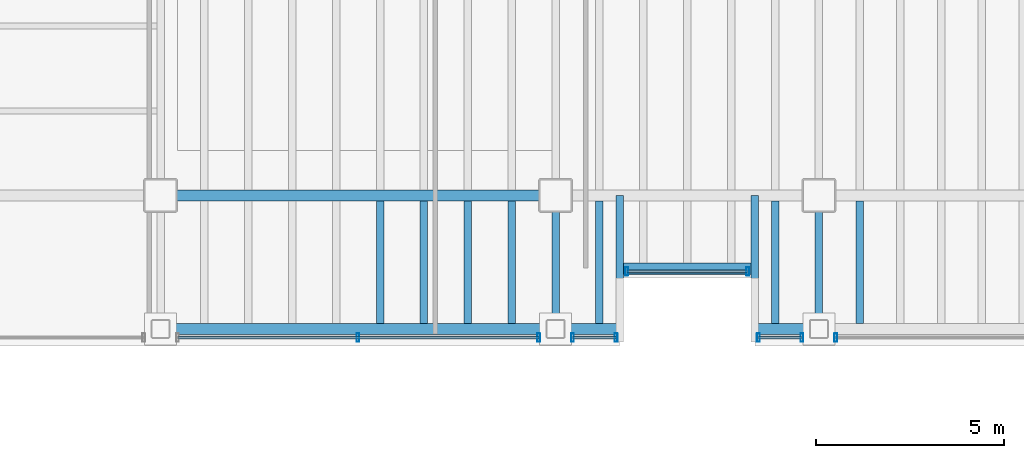
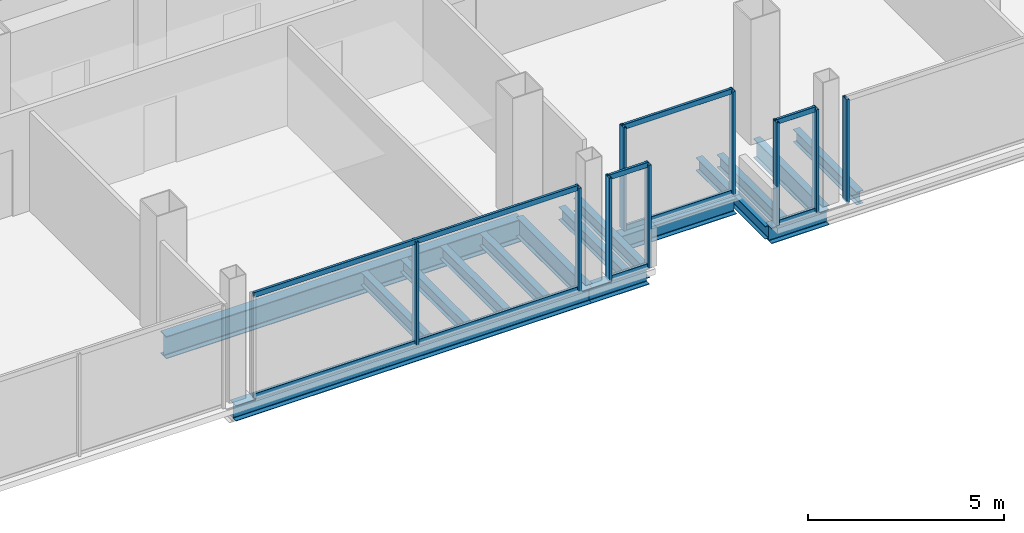
# One storey, part 4 of 19: 17 members, 16 beams, 5 elements without a shape of their own.
"""IFC4 building model written with IfcOpenShell, lengths in metres."""

from ifc_helpers import new_model, si_unit, direction, frame, origin, origin_2d, place, context, subcontext, project, spatial, hollow_rectangle, i_section, extrude, material, material_profile, profile_set, type_object, element, aggregate, save


model = new_model("IFC4")

# Units and contexts
model_context = context("Model", 3, precision=1e-05, world=origin(), true_north=direction((0.0, 1.0)))
body_context = subcontext(model_context, "Body", "Model", "MODEL_VIEW")
ifc_project = project(units=[si_unit("LENGTHUNIT", "METRE"), si_unit("AREAUNIT", "SQUARE_METRE"), si_unit("VOLUMEUNIT", "CUBIC_METRE"), si_unit("PLANEANGLEUNIT", "RADIAN"), si_unit("MASSUNIT", "GRAM", prefix="KILO")], contexts=[model_context])

# Site, building, storey
site_placement = place(None, origin())
site = spatial("IfcSite", under=ifc_project, at=site_placement, CompositionType="ELEMENT")
building_placement = place(site_placement, origin())
building = spatial("IfcBuilding", under=site, at=building_placement, Name="Noeulbin Bourse Tower", CompositionType="ELEMENT")
storey_placement = place(building_placement, frame((0.0, 0.0, 146.10009765625)))
storey = spatial("IfcBuildingStorey", under=building, at=storey_placement, Name="L36", CompositionType="ELEMENT", Elevation=146.10009765625)

# Beams
ifc_material_1 = material(Name="Steel S355", Category="steel")
ifc_material_profile_1 = material_profile(ifc_material_1, i_section(OverallWidth=0.199951171875, OverallDepth=0.60009765625, WebThickness=0.010986328125, FlangeThickness=0.01708984375, FilletRadius=0.02197265625, at=origin_2d()), Name="H-600x200x11x17", Category="LoadBearing")
ifc_profile_set_1 = profile_set([ifc_material_profile_1], Name="Steel S355")
beam_type_1 = type_object("IfcBeamType", Name="BM-GRD-600", PredefinedType="USERDEFINED", material=ifc_profile_set_1)
for number, where, z_axis, x_axis, name in (
    (1, (24.0, 16.449951171875, -0.47998046875), (0.0, 1.0, 0.0), (-1.0, 0.0, 0.0), "Tower Primary Girder NS L36-2.1"),
    (2, (31.0, 16.449951171875, -0.47998046875), (0.0, 1.0, 0.0), (-1.0, 0.0, 0.0), "Tower Primary Girder NS L36-3.1"),
):
    element("IfcBeam", number, at=place(storey_placement, frame(where, z_axis=z_axis, x_axis=x_axis)), inside=storey, type_object=beam_type_1, Name=name, ObjectType="GIRDER", PredefinedType="USERDEFINED", context=body_context, shape_type="SweptSolid", body=[
        extrude(i_section(OverallWidth=0.199951171875, OverallDepth=0.60009765625, WebThickness=0.010986328125, FlangeThickness=0.01708984375, FilletRadius=0.02197265625, at=origin_2d()), origin(), (0.0, 0.0, 1.0), 3.550048828125),
    ])
ifc_material_profile_2 = material_profile(ifc_material_1, i_section(OverallWidth=0.300048828125, OverallDepth=0.699951171875, WebThickness=0.012939453125, FlangeThickness=0.02392578125, FilletRadius=0.02392578125, at=origin_2d()), Name="H-700x300x13x24", Category="LoadBearing")
ifc_profile_set_2 = profile_set([ifc_material_profile_2], Name="Steel S355")
beam_type_2 = type_object("IfcBeamType", Name="BM-GRD-700", PredefinedType="USERDEFINED", material=ifc_profile_set_2)
beam_1_placement = place(storey_placement, frame((13.5, 20.0, -0.530029296875), z_axis=(1.0, 0.0, 0.0), x_axis=(0.0, 1.0, 0.0)))
element("IfcBeam", 3, at=beam_1_placement, inside=storey, type_object=beam_type_2, Name="Tower Primary Girder EW L36-1.2", ObjectType="GIRDER", PredefinedType="USERDEFINED", context=body_context, shape_type="SweptSolid", body=[
    extrude(i_section(OverallWidth=0.300048828125, OverallDepth=0.699951171875, WebThickness=0.012939453125, FlangeThickness=0.02392578125, FilletRadius=0.02392578125, at=origin_2d()), origin(), (0.0, 0.0, 1.0), 10.5),
])
ifc_material_profile_3 = material_profile(ifc_material_1, i_section(OverallWidth=0.199951171875, OverallDepth=0.39990234375, WebThickness=0.008056640625, FlangeThickness=0.012939453125, FilletRadius=0.01611328125, at=origin_2d()), Name="H-400x200x8x13", Category="LoadBearing")
ifc_profile_set_3 = profile_set([ifc_material_profile_3], Name="Steel S355")
beam_type_3 = type_object("IfcBeamType", Name="BM-SEC-400", PredefinedType="BEAM", material=ifc_profile_set_3)
for number, where, z_axis, x_axis, name in (
    (4, (25.699951171875, 16.449951171875, -0.380126953125), (0.0, 1.0, 0.0), (-1.0, 0.0, 0.0), "BM-L36-SRT-W"),
    (5, (29.300048828125, 16.449951171875, -0.380126953125), (0.0, 1.0, 0.0), (-1.0, 0.0, 0.0), "BM-L36-SRT-E"),
):
    element("IfcBeam", number, at=place(storey_placement, frame(where, z_axis=z_axis, x_axis=x_axis)), inside=storey, type_object=beam_type_3, Name=name, PredefinedType="BEAM", context=body_context, shape_type="SweptSolid", body=[
        extrude(i_section(OverallWidth=0.199951171875, OverallDepth=0.39990234375, WebThickness=0.008056640625, FlangeThickness=0.012939453125, FilletRadius=0.01611328125, at=origin_2d()), origin(), (0.0, 0.0, 1.0), 3.550048828125),
    ])
for number, where, z_axis, x_axis, name in (
    (6, (19.333251953125, 16.60009765625, -0.380126953125), (0.0, 1.0, 0.0), (-1.0, 0.0, 0.0), "Tower Composite Joist L36-13"),
    (7, (20.5, 16.60009765625, -0.380126953125), (0.0, 1.0, 0.0), (-1.0, 0.0, 0.0), "Tower Composite Joist L36-16"),
    (8, (21.666748046875, 16.60009765625, -0.380126953125), (0.0, 1.0, 0.0), (-1.0, 0.0, 0.0), "Tower Composite Joist L36-19"),
    (9, (22.833251953125, 16.60009765625, -0.380126953125), (0.0, 1.0, 0.0), (-1.0, 0.0, 0.0), "Tower Composite Joist L36-22"),
    (10, (25.166748046875, 16.60009765625, -0.380126953125), (0.0, 1.0, 0.0), (-1.0, 0.0, 0.0), "Tower Composite Joist L36-25"),
    (11, (29.833251953125, 16.60009765625, -0.380126953125), (0.0, 1.0, 0.0), (-1.0, 0.0, 0.0), "Tower Composite Joist L36-37"),
    (12, (32.083251953125, 16.60009765625, -0.380126953125), (0.0, 1.0, 0.0), (-1.0, 0.0, 0.0), "Tower Composite Joist L36-40"),
):
    element("IfcBeam", number, at=place(storey_placement, frame(where, z_axis=z_axis, x_axis=x_axis)), inside=storey, type_object=beam_type_3, Name=name, PredefinedType="BEAM", context=body_context, shape_type="SweptSolid", body=[
        extrude(i_section(OverallWidth=0.199951171875, OverallDepth=0.39990234375, WebThickness=0.008056640625, FlangeThickness=0.012939453125, FilletRadius=0.01611328125, at=origin_2d()), origin(), (0.0, 0.0, 1.0), 3.25),
    ])
ifc_material_profile_4 = material_profile(ifc_material_1, i_section(OverallWidth=0.300048828125, OverallDepth=0.488037109375, WebThickness=0.010986328125, FlangeThickness=0.01806640625, FilletRadius=0.02197265625, at=origin_2d()), Name="H-488x300x11x18", Category="LoadBearing")
ifc_profile_set_4 = profile_set([ifc_material_profile_4], Name="Steel S355")
beam_type_4 = type_object("IfcBeamType", Name="BM-SPN-488", PredefinedType="SPANDREL", material=ifc_profile_set_4)
beam_2_placement = place(storey_placement, frame((13.5, 16.449951171875, -0.424072265625), z_axis=(1.0, 0.0, 0.0), x_axis=(0.0, 1.0, 0.0)))
element("IfcBeam", 13, at=beam_2_placement, inside=storey, type_object=beam_type_4, Name="South Spandrel L36-1", PredefinedType="SPANDREL", context=body_context, shape_type="SweptSolid", body=[
    extrude(i_section(OverallWidth=0.300048828125, OverallDepth=0.488037109375, WebThickness=0.010986328125, FlangeThickness=0.01806640625, FilletRadius=0.02197265625, at=origin_2d()), origin(), (0.0, 0.0, 1.0), 10.5),
])
beam_3_placement = place(storey_placement, frame((25.800048828125, 18.050048828125, -0.424072265625), z_axis=(1.0, 0.0, 0.0), x_axis=(0.0, 1.0, 0.0)))
element("IfcBeam", 14, at=beam_3_placement, inside=storey, type_object=beam_type_4, Name="South Recess Spandrel L36-2B", PredefinedType="SPANDREL", context=body_context, shape_type="SweptSolid", body=[
    extrude(i_section(OverallWidth=0.300048828125, OverallDepth=0.488037109375, WebThickness=0.010986328125, FlangeThickness=0.01806640625, FilletRadius=0.02197265625, at=origin_2d()), origin(), (0.0, 0.0, 1.0), 3.39990234375),
])
for number, where, z_axis, x_axis, name in (
    (15, (24.0, 16.449951171875, -0.424072265625), (1.0, 0.0, 0.0), (0.0, 1.0, 0.0), "South Spandrel L36-2A"),
    (16, (29.300048828125, 16.449951171875, -0.424072265625), (1.0, 0.0, 0.0), (0.0, 1.0, 0.0), "South Spandrel L36-2C"),
):
    element("IfcBeam", number, at=place(storey_placement, frame(where, z_axis=z_axis, x_axis=x_axis)), inside=storey, type_object=beam_type_4, Name=name, PredefinedType="SPANDREL", context=body_context, shape_type="SweptSolid", body=[
        extrude(i_section(OverallWidth=0.300048828125, OverallDepth=0.488037109375, WebThickness=0.010986328125, FlangeThickness=0.01806640625, FilletRadius=0.02197265625, at=origin_2d()), origin(), (0.0, 0.0, 1.0), 1.699951171875),
    ])

# Curtain wall, members
ifc_material_2 = material(Name="Dark Tinted Triple Glazing", Category="glass")
curtain_wall_type = type_object("IfcCurtainWallType", Name="CW-SYS-3", PredefinedType="NOTDEFINED", material=ifc_material_2)
curtain_wall_1_placement = place(storey_placement, origin())
curtain_wall_1 = element("IfcCurtainWall", 17, at=curtain_wall_1_placement, inside=storey, type_object=curtain_wall_type, Name="Unitised Curtain Wall CW-L36-SREC", PredefinedType="NOTDEFINED")
ifc_material_3 = material(Name="Anodised Aluminium 6063-T6", Category="aluminium")
ifc_material_profile_5 = material_profile(ifc_material_3, hollow_rectangle(XDim=0.074951171875, YDim=0.219970703125, WallThickness=0.0048828125, InnerFilletRadius=0.00244140625, OuterFilletRadius=0.0048828125, at=origin_2d()), Name="ALU-MULL-75x220x5", Category="LoadBearing")
ifc_profile_set_5 = profile_set([ifc_material_profile_5], Name="Anodised Aluminium 6063-T6")
member_type_1 = type_object("IfcMemberType", Name="CW-SYS-3-MUL", PredefinedType="MULLION", material=ifc_profile_set_5)
member_1_placement = place(storey_placement, frame((25.889892578125, 17.97998046875, -0.02001953125), z_axis=(0.0, 0.0, 1.0), x_axis=(1.0, 0.0, 0.0)))
member_1 = element("IfcMember", 18, at=member_1_placement, type_object=member_type_1, Name="Curtain Wall Mullion CW-L36-SREC-M00", PredefinedType="MULLION", context=body_context, shape_type="SweptSolid", body=[
    extrude(hollow_rectangle(XDim=0.074951171875, YDim=0.219970703125, WallThickness=0.0048828125, InnerFilletRadius=0.00244140625, OuterFilletRadius=0.0048828125, at=origin_2d()), origin(), (0.0, 0.0, 1.0), 3.219970703125),
])
member_2_placement = place(storey_placement, frame((29.110107421875, 17.97998046875, -0.02001953125), z_axis=(0.0, 0.0, 1.0), x_axis=(1.0, 0.0, 0.0)))
member_2 = element("IfcMember", 19, at=member_2_placement, type_object=member_type_1, Name="Curtain Wall Mullion CW-L36-SREC-M01", PredefinedType="MULLION", context=body_context, shape_type="SweptSolid", body=[
    extrude(hollow_rectangle(XDim=0.074951171875, YDim=0.219970703125, WallThickness=0.0048828125, InnerFilletRadius=0.00244140625, OuterFilletRadius=0.0048828125, at=origin_2d()), origin(), (0.0, 0.0, 1.0), 3.219970703125),
])

curtain_wall_2_placement = place(storey_placement, origin())
curtain_wall_2 = element("IfcCurtainWall", 20, at=curtain_wall_2_placement, inside=storey, type_object=curtain_wall_type, Name="Unitised Curtain Wall CW-L36-S1-S2", PredefinedType="NOTDEFINED")
member_3_placement = place(storey_placement, frame((18.75, 16.219970703125, -0.02001953125), z_axis=(0.0, 0.0, 1.0), x_axis=(1.0, 0.0, 0.0)))
member_3 = element("IfcMember", 21, at=member_3_placement, type_object=member_type_1, Name="Curtain Wall Mullion CW-L36-S1-S2-M01", PredefinedType="MULLION", context=body_context, shape_type="SweptSolid", body=[
    extrude(hollow_rectangle(XDim=0.074951171875, YDim=0.219970703125, WallThickness=0.0048828125, InnerFilletRadius=0.00244140625, OuterFilletRadius=0.0048828125, at=origin_2d()), origin(), (0.0, 0.0, 1.0), 3.219970703125),
])
member_4_placement = place(storey_placement, frame((23.550048828125, 16.219970703125, -0.02001953125), z_axis=(0.0, 0.0, 1.0), x_axis=(1.0, 0.0, 0.0)))
member_4 = element("IfcMember", 22, at=member_4_placement, type_object=member_type_1, Name="Curtain Wall Mullion CW-L36-S1-S2-M02", PredefinedType="MULLION", context=body_context, shape_type="SweptSolid", body=[
    extrude(hollow_rectangle(XDim=0.074951171875, YDim=0.219970703125, WallThickness=0.0048828125, InnerFilletRadius=0.00244140625, OuterFilletRadius=0.0048828125, at=origin_2d()), origin(), (0.0, 0.0, 1.0), 3.219970703125),
])

curtain_wall_3_placement = place(storey_placement, origin())
curtain_wall_3 = element("IfcCurtainWall", 23, at=curtain_wall_3_placement, inside=storey, type_object=curtain_wall_type, Name="Unitised Curtain Wall CW-L36-S1-S3", PredefinedType="NOTDEFINED")
member_5_placement = place(storey_placement, frame((24.449951171875, 16.219970703125, -0.02001953125), z_axis=(0.0, 0.0, 1.0), x_axis=(1.0, 0.0, 0.0)))
member_5 = element("IfcMember", 24, at=member_5_placement, type_object=member_type_1, Name="Curtain Wall Mullion CW-L36-S1-S3-M00", PredefinedType="MULLION", context=body_context, shape_type="SweptSolid", body=[
    extrude(hollow_rectangle(XDim=0.074951171875, YDim=0.219970703125, WallThickness=0.0048828125, InnerFilletRadius=0.00244140625, OuterFilletRadius=0.0048828125, at=origin_2d()), origin(), (0.0, 0.0, 1.0), 3.219970703125),
])
member_6_placement = place(storey_placement, frame((25.610107421875, 16.219970703125, -0.02001953125), z_axis=(0.0, 0.0, 1.0), x_axis=(1.0, 0.0, 0.0)))
member_6 = element("IfcMember", 25, at=member_6_placement, type_object=member_type_1, Name="Curtain Wall Mullion CW-L36-S1-S3-M01", PredefinedType="MULLION", context=body_context, shape_type="SweptSolid", body=[
    extrude(hollow_rectangle(XDim=0.074951171875, YDim=0.219970703125, WallThickness=0.0048828125, InnerFilletRadius=0.00244140625, OuterFilletRadius=0.0048828125, at=origin_2d()), origin(), (0.0, 0.0, 1.0), 3.219970703125),
])

curtain_wall_4_placement = place(storey_placement, origin())
curtain_wall_4 = element("IfcCurtainWall", 26, at=curtain_wall_4_placement, inside=storey, type_object=curtain_wall_type, Name="Unitised Curtain Wall CW-L36-S2-S1", PredefinedType="NOTDEFINED")
member_7_placement = place(storey_placement, frame((29.389892578125, 16.219970703125, -0.02001953125), z_axis=(0.0, 0.0, 1.0), x_axis=(1.0, 0.0, 0.0)))
member_7 = element("IfcMember", 27, at=member_7_placement, type_object=member_type_1, Name="Curtain Wall Mullion CW-L36-S2-S1-M00", PredefinedType="MULLION", context=body_context, shape_type="SweptSolid", body=[
    extrude(hollow_rectangle(XDim=0.074951171875, YDim=0.219970703125, WallThickness=0.0048828125, InnerFilletRadius=0.00244140625, OuterFilletRadius=0.0048828125, at=origin_2d()), origin(), (0.0, 0.0, 1.0), 3.219970703125),
])
member_8_placement = place(storey_placement, frame((30.550048828125, 16.219970703125, -0.02001953125), z_axis=(0.0, 0.0, 1.0), x_axis=(1.0, 0.0, 0.0)))
member_8 = element("IfcMember", 28, at=member_8_placement, type_object=member_type_1, Name="Curtain Wall Mullion CW-L36-S2-S1-M01", PredefinedType="MULLION", context=body_context, shape_type="SweptSolid", body=[
    extrude(hollow_rectangle(XDim=0.074951171875, YDim=0.219970703125, WallThickness=0.0048828125, InnerFilletRadius=0.00244140625, OuterFilletRadius=0.0048828125, at=origin_2d()), origin(), (0.0, 0.0, 1.0), 3.219970703125),
])

# Curtain wall, member
curtain_wall_5_placement = place(storey_placement, origin())
curtain_wall_5 = element("IfcCurtainWall", 29, at=curtain_wall_5_placement, inside=storey, type_object=curtain_wall_type, Name="Unitised Curtain Wall CW-L36-S2-S2", PredefinedType="NOTDEFINED")
member_9_placement = place(storey_placement, frame((31.449951171875, 16.219970703125, -0.02001953125), z_axis=(0.0, 0.0, 1.0), x_axis=(1.0, 0.0, 0.0)))
member_9 = element("IfcMember", 30, at=member_9_placement, type_object=member_type_1, Name="Curtain Wall Mullion CW-L36-S2-S2-M00", PredefinedType="MULLION", context=body_context, shape_type="SweptSolid", body=[
    extrude(hollow_rectangle(XDim=0.074951171875, YDim=0.219970703125, WallThickness=0.0048828125, InnerFilletRadius=0.00244140625, OuterFilletRadius=0.0048828125, at=origin_2d()), origin(), (0.0, 0.0, 1.0), 3.219970703125),
])
aggregate(curtain_wall_5, [member_9])

# Member
ifc_material_profile_6 = material_profile(ifc_material_3, hollow_rectangle(XDim=0.074951171875, YDim=0.159912109375, WallThickness=0.0048828125, InnerFilletRadius=0.00244140625, OuterFilletRadius=0.0048828125, at=origin_2d()), Name="ALU-TRAN-75x160x5", Category="LoadBearing")
ifc_profile_set_6 = profile_set([ifc_material_profile_6], Name="Anodised Aluminium 6063-T6")
member_type_2 = type_object("IfcMemberType", Name="CW-SYS-3-TRN", PredefinedType="USERDEFINED", material=ifc_profile_set_6)
member_10_placement = place(storey_placement, frame((25.89990234375, 17.97998046875, 0.010009765625), z_axis=(1.0, 0.0, 0.0), x_axis=(0.0, 1.0, 0.0)))
member_10 = element("IfcMember", 31, at=member_10_placement, type_object=member_type_2, Name="Curtain Wall Transom CW-L36-SREC-T00", ObjectType="TRANSOM", PredefinedType="USERDEFINED", context=body_context, shape_type="SweptSolid", body=[
    extrude(hollow_rectangle(XDim=0.074951171875, YDim=0.159912109375, WallThickness=0.0048828125, InnerFilletRadius=0.00244140625, OuterFilletRadius=0.0048828125, at=origin_2d()), origin(), (0.0, 0.0, 1.0), 3.2001953125),
])

member_11_placement = place(storey_placement, frame((25.89990234375, 17.97998046875, 3.169921875), z_axis=(1.0, 0.0, 0.0), x_axis=(0.0, 1.0, 0.0)))
member_11 = element("IfcMember", 32, at=member_11_placement, type_object=member_type_2, Name="Curtain Wall Transom CW-L36-SREC-T01", ObjectType="TRANSOM", PredefinedType="USERDEFINED", context=body_context, shape_type="SweptSolid", body=[
    extrude(hollow_rectangle(XDim=0.074951171875, YDim=0.159912109375, WallThickness=0.0048828125, InnerFilletRadius=0.00244140625, OuterFilletRadius=0.0048828125, at=origin_2d()), origin(), (0.0, 0.0, 1.0), 3.2001953125),
])

aggregate(curtain_wall_1, [member_1, member_2, member_10, member_11])

member_12_placement = place(storey_placement, frame((13.9599609375, 16.219970703125, 0.010009765625), z_axis=(1.0, 0.0, 0.0), x_axis=(0.0, 1.0, 0.0)))
member_12 = element("IfcMember", 33, at=member_12_placement, type_object=member_type_2, Name="Curtain Wall Transom CW-L36-S1-S2-T00", ObjectType="TRANSOM", PredefinedType="USERDEFINED", context=body_context, shape_type="SweptSolid", body=[
    extrude(hollow_rectangle(XDim=0.074951171875, YDim=0.159912109375, WallThickness=0.0048828125, InnerFilletRadius=0.00244140625, OuterFilletRadius=0.0048828125, at=origin_2d()), origin(), (0.0, 0.0, 1.0), 9.580078125),
])

member_13_placement = place(storey_placement, frame((13.9599609375, 16.219970703125, 3.169921875), z_axis=(1.0, 0.0, 0.0), x_axis=(0.0, 1.0, 0.0)))
member_13 = element("IfcMember", 34, at=member_13_placement, type_object=member_type_2, Name="Curtain Wall Transom CW-L36-S1-S2-T01", ObjectType="TRANSOM", PredefinedType="USERDEFINED", context=body_context, shape_type="SweptSolid", body=[
    extrude(hollow_rectangle(XDim=0.074951171875, YDim=0.159912109375, WallThickness=0.0048828125, InnerFilletRadius=0.00244140625, OuterFilletRadius=0.0048828125, at=origin_2d()), origin(), (0.0, 0.0, 1.0), 9.580078125),
])

aggregate(curtain_wall_2, [member_3, member_4, member_12, member_13])

member_14_placement = place(storey_placement, frame((24.4599609375, 16.219970703125, 0.010009765625), z_axis=(1.0, 0.0, 0.0), x_axis=(0.0, 1.0, 0.0)))
member_14 = element("IfcMember", 35, at=member_14_placement, type_object=member_type_2, Name="Curtain Wall Transom CW-L36-S1-S3-T00", ObjectType="TRANSOM", PredefinedType="USERDEFINED", context=body_context, shape_type="SweptSolid", body=[
    extrude(hollow_rectangle(XDim=0.074951171875, YDim=0.159912109375, WallThickness=0.0048828125, InnerFilletRadius=0.00244140625, OuterFilletRadius=0.0048828125, at=origin_2d()), origin(), (0.0, 0.0, 1.0), 1.14013671875),
])

member_15_placement = place(storey_placement, frame((24.4599609375, 16.219970703125, 3.169921875), z_axis=(1.0, 0.0, 0.0), x_axis=(0.0, 1.0, 0.0)))
member_15 = element("IfcMember", 36, at=member_15_placement, type_object=member_type_2, Name="Curtain Wall Transom CW-L36-S1-S3-T01", ObjectType="TRANSOM", PredefinedType="USERDEFINED", context=body_context, shape_type="SweptSolid", body=[
    extrude(hollow_rectangle(XDim=0.074951171875, YDim=0.159912109375, WallThickness=0.0048828125, InnerFilletRadius=0.00244140625, OuterFilletRadius=0.0048828125, at=origin_2d()), origin(), (0.0, 0.0, 1.0), 1.14013671875),
])

aggregate(curtain_wall_3, [member_5, member_6, member_14, member_15])

member_16_placement = place(storey_placement, frame((29.39990234375, 16.219970703125, 0.010009765625), z_axis=(1.0, 0.0, 0.0), x_axis=(0.0, 1.0, 0.0)))
member_16 = element("IfcMember", 37, at=member_16_placement, type_object=member_type_2, Name="Curtain Wall Transom CW-L36-S2-S1-T00", ObjectType="TRANSOM", PredefinedType="USERDEFINED", context=body_context, shape_type="SweptSolid", body=[
    extrude(hollow_rectangle(XDim=0.074951171875, YDim=0.159912109375, WallThickness=0.0048828125, InnerFilletRadius=0.00244140625, OuterFilletRadius=0.0048828125, at=origin_2d()), origin(), (0.0, 0.0, 1.0), 1.14013671875),
])

member_17_placement = place(storey_placement, frame((29.39990234375, 16.219970703125, 3.169921875), z_axis=(1.0, 0.0, 0.0), x_axis=(0.0, 1.0, 0.0)))
member_17 = element("IfcMember", 38, at=member_17_placement, type_object=member_type_2, Name="Curtain Wall Transom CW-L36-S2-S1-T01", ObjectType="TRANSOM", PredefinedType="USERDEFINED", context=body_context, shape_type="SweptSolid", body=[
    extrude(hollow_rectangle(XDim=0.074951171875, YDim=0.159912109375, WallThickness=0.0048828125, InnerFilletRadius=0.00244140625, OuterFilletRadius=0.0048828125, at=origin_2d()), origin(), (0.0, 0.0, 1.0), 1.14013671875),
])

aggregate(curtain_wall_4, [member_7, member_8, member_16, member_17])

save(model, "model.ifc")
